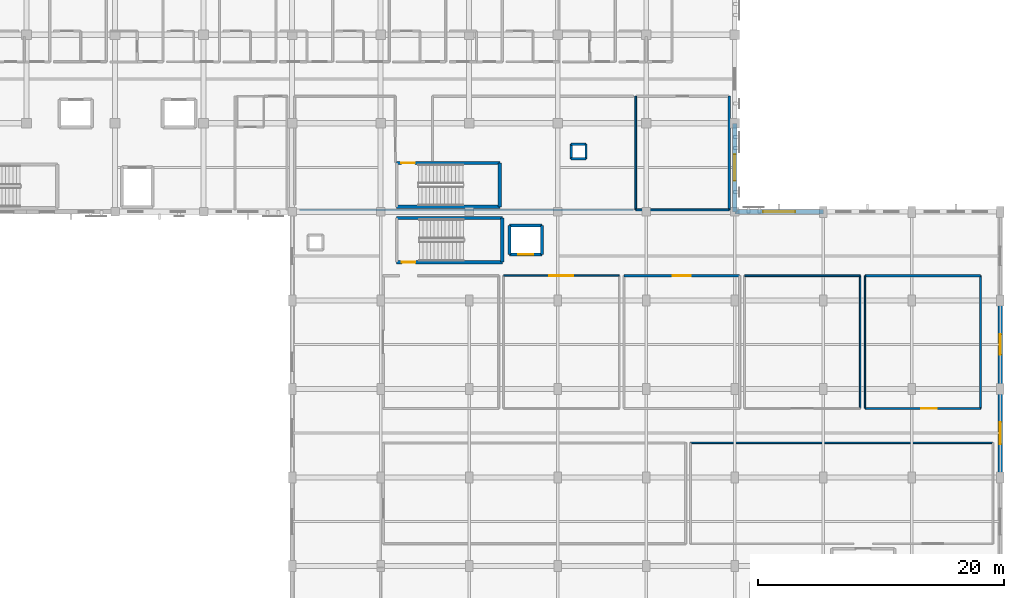
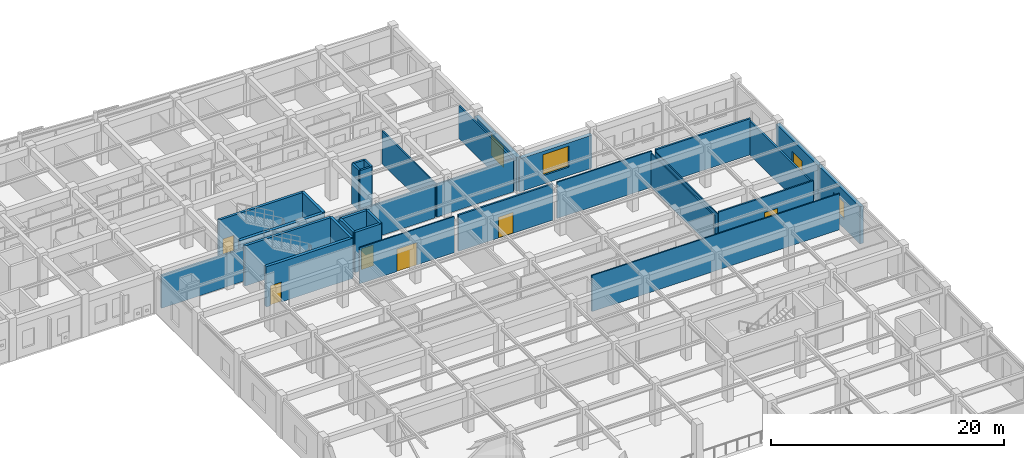
# One storey, part 87 of 106: 31 walls, 6 doors, 4 windows, 10 openings.
"""IFC4 building model written with IfcOpenShell, lengths in metres."""

from ifc_helpers import new_model, si_unit, direction, frame, frame_2d, origin, place, context, subcontext, project, spatial, rectangle, extrude, material, layer, layer_set, type_object, element, fill, save


model = new_model("IFC4")

# Units and contexts
model_context = context("Model", 3, precision=1e-05, world=origin(), true_north=direction((0.0, 1.0)))
body_context = subcontext(model_context, "Body", "Model", "MODEL_VIEW")
ifc_project = project(units=[si_unit("LENGTHUNIT", "METRE"), si_unit("AREAUNIT", "SQUARE_METRE"), si_unit("VOLUMEUNIT", "CUBIC_METRE"), si_unit("PLANEANGLEUNIT", "RADIAN"), si_unit("MASSUNIT", "GRAM", prefix="KILO")], contexts=[model_context])

# Site, building, storey
site_placement = place(None, origin())
site = spatial("IfcSite", under=ifc_project, at=site_placement, CompositionType="ELEMENT")
building_placement = place(site_placement, origin())
building = spatial("IfcBuilding", under=site, at=building_placement, Name="Carrowvane Square Congress Hotel", CompositionType="ELEMENT")
storey_placement = place(building_placement, frame((0.0, 0.0, 10.5)))
storey = spatial("IfcBuildingStorey", under=building, at=storey_placement, Name="L02", CompositionType="ELEMENT", Elevation=10.5)

# Wall, opening, window
ifc_material_1 = material(Name="Glazed terracotta rainscreen", Category="masonry")
ifc_layer_1 = layer(ifc_material_1, 0.360107421875)
ifc_layer_set_1 = layer_set([ifc_layer_1], Name="Glazed terracotta rainscreen")
wall_type_1 = type_object("IfcWallType", Name="WL-EXT-TC360", PredefinedType="STANDARD", material=ifc_layer_set_1)
wall_1_placement = place(storey_placement, frame((184.39990234375, 84.60009765625, 0.0), z_axis=(0.0, 0.0, 1.0), x_axis=(0.0, -1.0, 0.0)))
wall_1 = element("IfcWall", 1, at=wall_1_placement, inside=storey, type_object=wall_type_1, Name="L02 exterior facade wall 289", PredefinedType="STANDARD", context=body_context, shape_type="SweptSolid", body=[
    extrude(rectangle(XDim=7.2001953125, YDim=0.360107421875, at=frame_2d((3.60009765625, 0.0))), origin(), (0.0, 0.0, 1.0), 3.8984375),
])
opening_1_placement = place(wall_1_placement, frame((2.77490234375, 0.0, 0.89990234375)))
opening_1 = element("IfcOpeningElement", 2, at=opening_1_placement, cuts=wall_1, Name="Opening W-04", PredefinedType="OPENING", context=body_context, shape_type="SweptSolid", body=[
    extrude(rectangle(XDim=1.64990234375, YDim=1.800048828125, at=frame_2d((0.824951171875, 0.89990234375))), frame((0.0, 0.18994140625, 0.0), z_axis=(0.0, -1.0, 0.0), x_axis=(1.0, 0.0, 0.0)), (0.0, 0.0, 1.0), 0.380126953125),
])
ifc_material_2 = material(Name="Double-glazed low-E glass", Category="glass")
window_type_1 = type_object("IfcWindowType", Name="WIN-04", PartitioningType="SINGLE_PANEL", PredefinedType="WINDOW", material=ifc_material_2)
window_1_placement = place(opening_1_placement, origin())
window_1 = element("IfcWindow", 3, at=window_1_placement, inside=storey, type_object=window_type_1, Name="L02 facade window 106", OverallHeight=1.800048828125, OverallWidth=1.64990234375, PartitioningType="SINGLE_PANEL", PredefinedType="WINDOW", context=body_context, shape_type="SweptSolid", body=[
    extrude(rectangle(XDim=1.64990234375, YDim=1.800048828125, at=frame_2d((0.824951171875, 0.89990234375))), frame((0.0, 0.030029296875, 0.0), z_axis=(0.0, -1.0, 0.0), x_axis=(1.0, 0.0, 0.0)), (0.0, 0.0, 1.0), 0.06005859375),
])
fill(opening_1, window_1)

wall_2_placement = place(storey_placement, frame((184.39990234375, 77.39990234375, 0.0), z_axis=(0.0, 0.0, 1.0), x_axis=(0.0, -1.0, 0.0)))
wall_2 = element("IfcWall", 4, at=wall_2_placement, inside=storey, type_object=wall_type_1, Name="L02 exterior facade wall 290", PredefinedType="STANDARD", context=body_context, shape_type="SweptSolid", body=[
    extrude(rectangle(XDim=7.199951171875, YDim=0.360107421875, at=frame_2d((3.60009765625, 0.0))), origin(), (0.0, 0.0, 1.0), 3.8984375),
])
opening_2_placement = place(wall_2_placement, frame((2.699951171875, 0.0, 0.89990234375)))
opening_2 = element("IfcOpeningElement", 5, at=opening_2_placement, cuts=wall_2, Name="Opening W-05", PredefinedType="OPENING", context=body_context, shape_type="SweptSolid", body=[
    extrude(rectangle(XDim=1.800048828125, YDim=1.800048828125, at=frame_2d((0.89990234375, 0.89990234375))), frame((0.0, 0.18994140625, 0.0), z_axis=(0.0, -1.0, 0.0), x_axis=(1.0, 0.0, 0.0)), (0.0, 0.0, 1.0), 0.380126953125),
])
ifc_material_3 = material(Name="Double-glazed low-E glass", Category="glass")
window_type_2 = type_object("IfcWindowType", Name="WIN-05", PartitioningType="SINGLE_PANEL", PredefinedType="WINDOW", material=ifc_material_3)
window_2_placement = place(opening_2_placement, origin())
window_2 = element("IfcWindow", 6, at=window_2_placement, inside=storey, type_object=window_type_2, Name="L02 facade window 107", OverallHeight=1.800048828125, OverallWidth=1.800048828125, PartitioningType="SINGLE_PANEL", PredefinedType="WINDOW", context=body_context, shape_type="SweptSolid", body=[
    extrude(rectangle(XDim=1.800048828125, YDim=1.800048828125, at=frame_2d((0.89990234375, 0.89990234375))), frame((0.0, 0.030029296875, 0.0), z_axis=(0.0, -1.0, 0.0), x_axis=(1.0, 0.0, 0.0)), (0.0, 0.0, 1.0), 0.06005859375),
])
fill(opening_2, window_2)

ifc_material_4 = material(Name="Glazed terracotta rainscreen", Category="masonry")
ifc_layer_2 = layer(ifc_material_4, 0.39990234375)
ifc_layer_set_2 = layer_set([ifc_layer_2], Name="Glazed terracotta rainscreen")
wall_type_2 = type_object("IfcWallType", Name="WL-EXT-TC400", PredefinedType="STANDARD", material=ifc_layer_set_2)
wall_3_placement = place(storey_placement, frame((162.800048828125, 99.0, 0.0), z_axis=(0.0, 0.0, 1.0), x_axis=(0.0, -1.0, 0.0)))
wall_3 = element("IfcWall", 7, at=wall_3_placement, inside=storey, type_object=wall_type_2, Name="L02 exterior facade wall 284", PredefinedType="STANDARD", context=body_context, shape_type="SweptSolid", body=[
    extrude(rectangle(XDim=7.199951171875, YDim=0.39990234375, at=frame_2d((3.60009765625, 0.0))), origin(), (0.0, 0.0, 1.0), 3.554931640625),
])
opening_3_placement = place(wall_3_placement, frame((2.52490234375, 0.0, 0.89990234375)))
opening_3 = element("IfcOpeningElement", 8, at=opening_3_placement, cuts=wall_3, Name="Opening W-35", PredefinedType="OPENING", context=body_context, shape_type="SweptSolid", body=[
    extrude(rectangle(XDim=2.14990234375, YDim=2.199951171875, at=frame_2d((1.074951171875, 1.10009765625))), frame((0.0, 0.2099609375, 0.0), z_axis=(0.0, -1.0, 0.0), x_axis=(1.0, 0.0, 0.0)), (0.0, 0.0, 1.0), 0.419921875),
])
ifc_material_5 = material(Name="Double-glazed low-E glass", Category="glass")
window_type_3 = type_object("IfcWindowType", Name="WIN-35", PartitioningType="SINGLE_PANEL", PredefinedType="WINDOW", material=ifc_material_5)
window_3_placement = place(opening_3_placement, origin())
window_3 = element("IfcWindow", 9, at=window_3_placement, inside=storey, type_object=window_type_3, Name="L02 facade window 96", OverallHeight=2.199951171875, OverallWidth=2.14990234375, PartitioningType="SINGLE_PANEL", PredefinedType="WINDOW", context=body_context, shape_type="SweptSolid", body=[
    extrude(rectangle(XDim=2.14990234375, YDim=2.199951171875, at=frame_2d((1.074951171875, 1.10009765625))), frame((0.0, 0.030029296875, 0.0), z_axis=(0.0, -1.0, 0.0), x_axis=(1.0, 0.0, 0.0)), (0.0, 0.0, 1.0), 0.06005859375),
])
fill(opening_3, window_3)

wall_4_placement = place(storey_placement, frame((162.800048828125, 91.800048828125, 0.0), z_axis=(0.0, 0.0, 1.0), x_axis=(1.0, 0.0, 0.0)))
wall_4 = element("IfcWall", 10, at=wall_4_placement, inside=storey, type_object=wall_type_2, Name="L02 exterior facade wall 285", PredefinedType="STANDARD", context=body_context, shape_type="SweptSolid", body=[
    extrude(rectangle(XDim=7.199951171875, YDim=0.39990234375, at=frame_2d((3.60009765625, 0.0))), origin(), (0.0, 0.0, 1.0), 3.455078125),
])
opening_4_placement = place(wall_4_placement, frame((2.300048828125, 0.0, 0.89990234375)))
opening_4 = element("IfcOpeningElement", 11, at=opening_4_placement, cuts=wall_4, Name="Opening W-36", PredefinedType="OPENING", context=body_context, shape_type="SweptSolid", body=[
    extrude(rectangle(XDim=2.60009765625, YDim=2.199951171875, at=frame_2d((1.300048828125, 1.10009765625))), frame((0.0, 0.2099609375, 0.0), z_axis=(0.0, -1.0, 0.0), x_axis=(1.0, 0.0, 0.0)), (0.0, 0.0, 1.0), 0.419921875),
])
ifc_material_6 = material(Name="Double-glazed low-E glass", Category="glass")
window_type_4 = type_object("IfcWindowType", Name="WIN-36", PartitioningType="SINGLE_PANEL", PredefinedType="WINDOW", material=ifc_material_6)
window_4_placement = place(opening_4_placement, origin())
window_4 = element("IfcWindow", 12, at=window_4_placement, inside=storey, type_object=window_type_4, Name="L02 facade window 97", OverallHeight=2.199951171875, OverallWidth=2.60009765625, PartitioningType="SINGLE_PANEL", PredefinedType="WINDOW", context=body_context, shape_type="SweptSolid", body=[
    extrude(rectangle(XDim=2.60009765625, YDim=2.199951171875, at=frame_2d((1.300048828125, 1.10009765625))), frame((0.0, 0.030029296875, 0.0), z_axis=(0.0, -1.0, 0.0), x_axis=(1.0, 0.0, 0.0)), (0.0, 0.0, 1.0), 0.06005859375),
])
fill(opening_4, window_4)

# Wall
ifc_material_7 = material(Name="Acoustic gypsum board", Category="gypsum")
ifc_layer_3 = layer(ifc_material_7, 0.155029296875)
ifc_layer_set_3 = layer_set([ifc_layer_3], Name="Acoustic gypsum board")
wall_type_3 = type_object("IfcWallType", Name="WL-FIR-155", PredefinedType="PARTITIONING", material=ifc_layer_set_3)
wall_5_placement = place(storey_placement, frame((162.35009765625, 91.9599609375, 0.0), z_axis=(0.0, 0.0, 1.0), x_axis=(-1.0, 0.0, 0.0)))
element("IfcWall", 13, at=wall_5_placement, inside=storey, type_object=wall_type_3, Name="L02 L02 Delegate Business Pantry partition", PredefinedType="PARTITIONING", context=body_context, shape_type="SweptSolid", body=[
    extrude(rectangle(XDim=7.60009765625, YDim=0.155029296875, at=frame_2d((3.800048828125, 0.0))), origin(), (0.0, 0.0, 1.0), 3.455078125),
])

# Wall, opening, door
wall_6_placement = place(storey_placement, frame((182.800048828125, 75.800048828125, 0.0), z_axis=(0.0, 0.0, 1.0), x_axis=(-1.0, 0.0, 0.0)))
wall_6 = element("IfcWall", 14, at=wall_6_placement, inside=storey, type_object=wall_type_3, Name="L02 Congress Seminar Room 205 partition", PredefinedType="PARTITIONING", context=body_context, shape_type="SweptSolid", body=[
    extrude(rectangle(XDim=9.400146484375, YDim=0.155029296875, at=frame_2d((4.7001953125, 0.0))), origin(), (0.0, 0.0, 1.0), 3.795654296875),
])
opening_5_placement = place(wall_6_placement, frame((3.550048828125, 0.0, 0.0)))
opening_5 = element("IfcOpeningElement", 15, at=opening_5_placement, cuts=wall_6, Name="Opening FD-03", PredefinedType="OPENING", context=body_context, shape_type="SweptSolid", body=[
    extrude(rectangle(XDim=1.300048828125, YDim=2.14990234375, at=frame_2d((0.64990234375, 1.074951171875))), frame((0.0, 0.08740234375, 0.0), z_axis=(0.0, -1.0, 0.0), x_axis=(1.0, 0.0, 0.0)), (0.0, 0.0, 1.0), 0.175048828125),
])
ifc_material_8 = material(Name="European oak timber", Category="wood")
door_type_1 = type_object("IfcDoorType", Name="DR-FD60-1300x2150", OperationType="NOTDEFINED", PredefinedType="DOOR", material=ifc_material_8)
door_1_placement = place(opening_5_placement, origin())
door_1 = element("IfcDoor", 16, at=door_1_placement, inside=storey, type_object=door_type_1, Name="L02 Congress Seminar Room 205 entrance door", OperationType="SINGLE_SWING_RIGHT", OverallHeight=2.14990234375, OverallWidth=1.300048828125, PredefinedType="DOOR", context=body_context, shape_type="SweptSolid", body=[
    extrude(rectangle(XDim=1.300048828125, YDim=2.14990234375, at=frame_2d((0.64990234375, 1.074951171875))), frame((0.0, 0.02490234375, 0.0), z_axis=(0.0, -1.0, 0.0), x_axis=(1.0, 0.0, 0.0)), (0.0, 0.0, 1.0), 0.050048828125),
])
fill(opening_5, door_1)

# Walls
ifc_material_9 = material(Name="Acoustic gypsum board", Category="gypsum")
ifc_layer_4 = layer(ifc_material_9, 0.169921875)
ifc_layer_set_4 = layer_set([ifc_layer_4], Name="Acoustic gypsum board")
wall_type_4 = type_object("IfcWallType", Name="WL-FIR-170", PredefinedType="PARTITIONING", material=ifc_layer_set_4)
wall_7_placement = place(storey_placement, frame((162.35009765625, 101.199951171875, 0.0), z_axis=(0.0, 0.0, 1.0), x_axis=(0.0, -1.0, 0.0)))
element("IfcWall", 17, at=wall_7_placement, inside=storey, type_object=wall_type_4, Name="L02 L02 Delegate Business Pantry partition", PredefinedType="PARTITIONING", context=body_context, shape_type="SweptSolid", body=[
    extrude(rectangle(XDim=9.239990234375, YDim=0.169921875, at=frame_2d((4.6201171875, 0.0))), origin(), (0.0, 0.0, 1.0), 3.455078125),
])
wall_8_placement = place(storey_placement, frame((154.550048828125, 91.9599609375, 0.0), z_axis=(0.0, 0.0, 1.0), x_axis=(-1.0, 0.0, 0.0)))
element("IfcWall", 18, at=wall_8_placement, inside=storey, type_object=wall_type_4, Name="L02 L02 East Delegate Linen and Service Room partition", PredefinedType="PARTITIONING", context=body_context, shape_type="SweptSolid", body=[
    extrude(rectangle(XDim=27.14013671875, YDim=0.169921875, at=frame_2d((13.570068359375, 0.0))), origin(), (0.0, 0.0, 1.0), 3.455078125),
])

# Wall, opening, door
wall_9_placement = place(storey_placement, frame((153.800048828125, 86.60009765625, 0.0), z_axis=(0.0, 0.0, 1.0), x_axis=(1.0, 0.0, 0.0)))
wall_9 = element("IfcWall", 19, at=wall_9_placement, inside=storey, type_object=wall_type_4, Name="L02 Congress Seminar Room 203 partition", PredefinedType="PARTITIONING", context=body_context, shape_type="SweptSolid", body=[
    extrude(rectangle(XDim=9.39990234375, YDim=0.169921875, at=frame_2d((4.699951171875, 0.0))), origin(), (0.0, 0.0, 1.0), 3.795654296875),
])
opening_6_placement = place(wall_9_placement, frame((3.97509765625, 0.0, 0.0)))
opening_6 = element("IfcOpeningElement", 20, at=opening_6_placement, cuts=wall_9, Name="Opening FD-11", PredefinedType="OPENING", context=body_context, shape_type="SweptSolid", body=[
    extrude(rectangle(XDim=1.449951171875, YDim=2.199951171875, at=frame_2d((0.72509765625, 1.10009765625))), frame((0.0, 0.094970703125, 0.0), z_axis=(0.0, -1.0, 0.0), x_axis=(1.0, 0.0, 0.0)), (0.0, 0.0, 1.0), 0.18994140625),
])
ifc_material_10 = material(Name="European oak timber", Category="wood")
door_type_2 = type_object("IfcDoorType", Name="DR-FD30-1450x2200", OperationType="DOUBLE_DOOR_SINGLE_SWING", PredefinedType="DOOR", material=ifc_material_10)
door_2_placement = place(opening_6_placement, origin())
door_2 = element("IfcDoor", 21, at=door_2_placement, inside=storey, type_object=door_type_2, Name="L02 Congress Seminar Room 203 entrance door", OperationType="DOUBLE_DOOR_SINGLE_SWING", OverallHeight=2.199951171875, OverallWidth=1.449951171875, PredefinedType="DOOR", context=body_context, shape_type="SweptSolid", body=[
    extrude(rectangle(XDim=1.449951171875, YDim=2.199951171875, at=frame_2d((0.72509765625, 1.10009765625))), frame((0.0, 0.02490234375, 0.0), z_axis=(0.0, -1.0, 0.0), x_axis=(1.0, 0.0, 0.0)), (0.0, 0.0, 1.0), 0.050048828125),
])
fill(opening_6, door_2)

# Walls
wall_10_placement = place(storey_placement, frame((182.800048828125, 86.60009765625, 0.0), z_axis=(0.0, 0.0, 1.0), x_axis=(0.0, -1.0, 0.0)))
element("IfcWall", 22, at=wall_10_placement, inside=storey, type_object=wall_type_4, Name="L02 Congress Seminar Room 205 partition", PredefinedType="PARTITIONING", context=body_context, shape_type="SweptSolid", body=[
    extrude(rectangle(XDim=10.800048828125, YDim=0.169921875, at=frame_2d((5.39990234375, 0.0))), origin(), (0.0, 0.0, 1.0), 3.554931640625),
])
ifc_material_11 = material(Name="Acoustic gypsum board", Category="gypsum")
ifc_layer_5 = layer(ifc_material_11, 0.18505859375)
ifc_layer_set_5 = layer_set([ifc_layer_5], Name="Acoustic gypsum board")
wall_type_5 = type_object("IfcWallType", Name="WL-FIR-185", PredefinedType="PARTITIONING", material=ifc_layer_set_5)
wall_11_placement = place(storey_placement, frame((173.39990234375, 86.60009765625, 0.0), z_axis=(0.0, 0.0, 1.0), x_axis=(1.0, 0.0, 0.0)))
element("IfcWall", 23, at=wall_11_placement, inside=storey, type_object=wall_type_5, Name="L02 Congress Seminar Room 205 partition", PredefinedType="PARTITIONING", context=body_context, shape_type="SweptSolid", body=[
    extrude(rectangle(XDim=9.400146484375, YDim=0.18505859375, at=frame_2d((4.7001953125, 0.0))), origin(), (0.0, 0.0, 1.0), 3.795654296875),
])
ifc_material_12 = material(Name="Standing-seam zinc cladding", Category="metal")
ifc_layer_6 = layer(ifc_material_12, 0.195068359375)
ifc_layer_set_6 = layer_set([ifc_layer_6], Name="Standing-seam zinc cladding")
wall_type_6 = type_object("IfcWallType", Name="WL-PAR-195", PredefinedType="PARAPET", material=ifc_layer_set_6)
for number, where, z_axis, x_axis, name in (
    (24, (149.5, 96.10009765625, 0.0), (0.0, 0.0, 1.0), (1.0, 0.0, 0.0), "L02 service riser RSR-V5E enclosure S"),
    (25, (150.699951171875, 96.10009765625, 0.0), (0.0, 0.0, 1.0), (0.0, 1.0, 0.0), "L02 service riser RSR-V5E enclosure E"),
    (26, (150.699951171875, 97.300048828125, 0.0), (0.0, 0.0, 1.0), (-1.0, 0.0, 0.0), "L02 service riser RSR-V5E enclosure N"),
    (27, (149.5, 97.300048828125, 0.0), (0.0, 0.0, 1.0), (0.0, -1.0, 0.0), "L02 service riser RSR-V5E enclosure W"),
):
    element("IfcWall", number, at=place(storey_placement, frame(where, z_axis=z_axis, x_axis=x_axis)), inside=storey, type_object=wall_type_6, Name=name, PredefinedType="PARAPET", context=body_context, shape_type="SweptSolid", body=[
        extrude(rectangle(XDim=1.199951171875, YDim=0.195068359375, at=frame_2d((0.60009765625, 0.0))), origin(), (0.0, 0.0, 1.0), 4.219970703125),
    ])
ifc_material_13 = material(Name="Acoustic gypsum board", Category="gypsum")
ifc_layer_7 = layer(ifc_material_13, 0.097900390625)
ifc_layer_set_7 = layer_set([ifc_layer_7], Name="Acoustic gypsum board")
wall_type_7 = type_object("IfcWallType", Name="WL-PRT-098", PredefinedType="PARTITIONING", material=ifc_layer_set_7)
wall_12_placement = place(storey_placement, frame((173.39990234375, 75.800048828125, 0.0), z_axis=(0.0, 0.0, 1.0), x_axis=(0.0, 1.0, 0.0)))
element("IfcWall", 28, at=wall_12_placement, inside=storey, type_object=wall_type_7, Name="L02 Congress Seminar Room 205 partition", PredefinedType="PARTITIONING", context=body_context, shape_type="SweptSolid", body=[
    extrude(rectangle(XDim=10.800048828125, YDim=0.097900390625, at=frame_2d((5.39990234375, 0.0))), origin(), (0.0, 0.0, 1.0), 3.554931640625),
])

# Wall, opening, door
ifc_material_14 = material(Name="Acoustic gypsum board", Category="gypsum")
ifc_layer_8 = layer(ifc_material_14, 0.117919921875)
ifc_layer_set_8 = layer_set([ifc_layer_8], Name="Acoustic gypsum board")
wall_type_8 = type_object("IfcWallType", Name="WL-PRT-118", PredefinedType="PARTITIONING", material=ifc_layer_set_8)
wall_13_placement = place(storey_placement, frame((144.0, 86.60009765625, 0.0), z_axis=(0.0, 0.0, 1.0), x_axis=(1.0, 0.0, 0.0)))
wall_13 = element("IfcWall", 29, at=wall_13_placement, inside=storey, type_object=wall_type_8, Name="L02 Congress Seminar Room 202 partition", PredefinedType="PARTITIONING", context=body_context, shape_type="SweptSolid", body=[
    extrude(rectangle(XDim=9.39990234375, YDim=0.117919921875, at=frame_2d((4.699951171875, 0.0))), origin(), (0.0, 0.0, 1.0), 3.795654296875),
])
opening_7_placement = place(wall_13_placement, frame((3.72509765625, 0.0, 0.0)))
opening_7 = element("IfcOpeningElement", 30, at=opening_7_placement, cuts=wall_13, Name="Opening ID-14", PredefinedType="OPENING", context=body_context, shape_type="SweptSolid", body=[
    extrude(rectangle(XDim=1.949951171875, YDim=2.35009765625, at=frame_2d((0.97509765625, 1.175048828125))), frame((0.0, 0.06884765625, 0.0), z_axis=(0.0, -1.0, 0.0), x_axis=(1.0, 0.0, 0.0)), (0.0, 0.0, 1.0), 0.137939453125),
])
ifc_material_15 = material(Name="European oak timber", Category="wood")
door_type_3 = type_object("IfcDoorType", Name="DR-INT-1950x2350", OperationType="DOUBLE_DOOR_SINGLE_SWING", PredefinedType="DOOR", material=ifc_material_15)
door_3_placement = place(opening_7_placement, origin())
door_3 = element("IfcDoor", 31, at=door_3_placement, inside=storey, type_object=door_type_3, Name="L02 Congress Seminar Room 202 entrance door", OperationType="DOUBLE_DOOR_SINGLE_SWING", OverallHeight=2.35009765625, OverallWidth=1.949951171875, PredefinedType="DOOR", context=body_context, shape_type="SweptSolid", body=[
    extrude(rectangle(XDim=1.949951171875, YDim=2.35009765625, at=frame_2d((0.97509765625, 1.175048828125))), frame((0.0, 0.02490234375, 0.0), z_axis=(0.0, -1.0, 0.0), x_axis=(1.0, 0.0, 0.0)), (0.0, 0.0, 1.0), 0.050048828125),
])
fill(opening_7, door_3)

# Walls
wall_14_placement = place(storey_placement, frame((173.0, 86.60009765625, 0.0), z_axis=(0.0, 0.0, 1.0), x_axis=(0.0, -1.0, 0.0)))
element("IfcWall", 32, at=wall_14_placement, inside=storey, type_object=wall_type_8, Name="L02 Congress Seminar Room 204 partition", PredefinedType="PARTITIONING", context=body_context, shape_type="SweptSolid", body=[
    extrude(rectangle(XDim=10.800048828125, YDim=0.117919921875, at=frame_2d((5.39990234375, 0.0))), origin(), (0.0, 0.0, 1.0), 3.554931640625),
])
ifc_material_16 = material(Name="Acoustic gypsum board", Category="gypsum")
ifc_layer_9 = layer(ifc_material_16, 0.1279296875)
ifc_layer_set_9 = layer_set([ifc_layer_9], Name="Acoustic gypsum board")
wall_type_9 = type_object("IfcWallType", Name="WL-PRT-128", PredefinedType="PARTITIONING", material=ifc_layer_set_9)
wall_15_placement = place(storey_placement, frame((159.199951171875, 73.0, 0.0), z_axis=(0.0, 0.0, 1.0), x_axis=(1.0, 0.0, 0.0)))
element("IfcWall", 33, at=wall_15_placement, inside=storey, type_object=wall_type_9, Name="L02 Sub-Plenary Lecture Hall B partition", PredefinedType="PARTITIONING", context=body_context, shape_type="SweptSolid", body=[
    extrude(rectangle(XDim=24.60009765625, YDim=0.1279296875, at=frame_2d((12.300048828125, 0.0))), origin(), (0.0, 0.0, 1.0), 3.795654296875),
])
wall_16_placement = place(storey_placement, frame((163.60009765625, 86.60009765625, 0.0), z_axis=(0.0, 0.0, 1.0), x_axis=(1.0, 0.0, 0.0)))
element("IfcWall", 34, at=wall_16_placement, inside=storey, type_object=wall_type_9, Name="L02 Congress Seminar Room 204 partition", PredefinedType="PARTITIONING", context=body_context, shape_type="SweptSolid", body=[
    extrude(rectangle(XDim=9.39990234375, YDim=0.1279296875, at=frame_2d((4.699951171875, 0.0))), origin(), (0.0, 0.0, 1.0), 3.795654296875),
])
ifc_material_17 = material(Name="Acoustic gypsum board", Category="gypsum")
ifc_layer_10 = layer(ifc_material_17, 0.137939453125)
ifc_layer_set_10 = layer_set([ifc_layer_10], Name="Acoustic gypsum board")
wall_type_10 = type_object("IfcWallType", Name="WL-PRT-138", PredefinedType="PARTITIONING", material=ifc_layer_set_10)
wall_17_placement = place(storey_placement, frame((154.75, 91.9599609375, 0.0), z_axis=(0.0, 0.0, 1.0), x_axis=(0.0, 1.0, 0.0)))
element("IfcWall", 35, at=wall_17_placement, inside=storey, type_object=wall_type_10, Name="L02 L02 Delegate Business Pantry partition", PredefinedType="PARTITIONING", context=body_context, shape_type="SweptSolid", body=[
    extrude(rectangle(XDim=9.239990234375, YDim=0.137939453125, at=frame_2d((4.6201171875, 0.0))), origin(), (0.0, 0.0, 1.0), 3.455078125),
])
ifc_material_18 = material(Name="Concrete C40/50", Category="concrete")
ifc_layer_11 = layer(ifc_material_18, 0.25)
ifc_layer_set_11 = layer_set([ifc_layer_11], Name="Concrete C40/50")
wall_type_11 = type_object("IfcWallType", Name="WL-SHR-250", PredefinedType="SHEAR", material=ifc_layer_set_11)
wall_18_placement = place(storey_placement, frame((143.89990234375, 91.300048828125, 0.0), z_axis=(0.0, 0.0, 1.0), x_axis=(-1.0, 0.0, 0.0)))
element("IfcWall", 36, at=wall_18_placement, inside=storey, type_object=wall_type_11, Name="L02 ST8 core wall north", PredefinedType="SHEAR", context=body_context, shape_type="SweptSolid", body=[
    extrude(rectangle(XDim=8.599853515625, YDim=0.25, at=frame_2d((4.2998046875, 0.0))), origin(), (0.0, 0.0, 1.0), 4.219970703125),
])

# Wall, opening, door
wall_19_placement = place(storey_placement, frame((143.699951171875, 95.760009765625, 0.0), z_axis=(0.0, 0.0, 1.0), x_axis=(-1.0, 0.0, 0.0)))
wall_19 = element("IfcWall", 37, at=wall_19_placement, inside=storey, type_object=wall_type_11, Name="L02 ST12 core wall north", PredefinedType="SHEAR", context=body_context, shape_type="SweptSolid", body=[
    extrude(rectangle(XDim=8.39990234375, YDim=0.25, at=frame_2d((4.199951171875, 0.0))), origin(), (0.0, 0.0, 1.0), 4.219970703125),
])
opening_8_placement = place(wall_19_placement, frame((6.909912109375, 0.0, 0.0)))
opening_8 = element("IfcOpeningElement", 38, at=opening_8_placement, cuts=wall_19, Name="Opening FD-01", PredefinedType="OPENING", context=body_context, shape_type="SweptSolid", body=[
    extrude(rectangle(XDim=1.10009765625, YDim=2.10009765625, at=frame_2d((0.550048828125, 1.050048828125))), frame((0.0, 0.135009765625, 0.0), z_axis=(0.0, -1.0, 0.0), x_axis=(1.0, 0.0, 0.0)), (0.0, 0.0, 1.0), 0.27001953125),
])
ifc_material_19 = material(Name="European oak timber", Category="wood")
door_type_4 = type_object("IfcDoorType", Name="DR-FD60-1100x2100", OperationType="NOTDEFINED", PredefinedType="DOOR", material=ifc_material_19)
door_4_placement = place(opening_8_placement, origin())
door_4 = element("IfcDoor", 39, at=door_4_placement, inside=storey, type_object=door_type_4, Name="L02 ST12 fire door", OperationType="SINGLE_SWING_LEFT", OverallHeight=2.10009765625, OverallWidth=1.10009765625, PredefinedType="DOOR", context=body_context, shape_type="SweptSolid", body=[
    extrude(rectangle(XDim=1.10009765625, YDim=2.10009765625, at=frame_2d((0.550048828125, 1.050048828125))), frame((0.0, 0.02490234375, 0.0), z_axis=(0.0, -1.0, 0.0), x_axis=(1.0, 0.0, 0.0)), (0.0, 0.0, 1.0), 0.050048828125),
])
fill(opening_8, door_4)

wall_20_placement = place(storey_placement, frame((144.47509765625, 88.324951171875, 0.0), z_axis=(0.0, 0.0, 1.0), x_axis=(1.0, 0.0, 0.0)))
wall_20 = element("IfcWall", 40, at=wall_20_placement, inside=storey, type_object=wall_type_11, Name="L02 CL-3 shaft wall south", PredefinedType="SHEAR", context=body_context, shape_type="SweptSolid", body=[
    extrude(rectangle(XDim=2.64990234375, YDim=0.25, at=frame_2d((1.324951171875, 0.0))), origin(), (0.0, 0.0, 1.0), 4.219970703125),
])
opening_9_placement = place(wall_20_placement, frame((0.72509765625, 0.0, 0.0)))
opening_9 = element("IfcOpeningElement", 41, at=opening_9_placement, cuts=wall_20, Name="Opening LD-CL-3", PredefinedType="OPENING", context=body_context, shape_type="SweptSolid", body=[
    extrude(rectangle(XDim=1.199951171875, YDim=2.199951171875, at=frame_2d((0.60009765625, 1.10009765625))), frame((0.0, 0.135009765625, 0.0), z_axis=(0.0, -1.0, 0.0), x_axis=(1.0, 0.0, 0.0)), (0.0, 0.0, 1.0), 0.27001953125),
])
ifc_material_20 = material(Name="Stainless steel 316", Category="steel")
door_type_5 = type_object("IfcDoorType", Name="DR-LD-1200x2200", OperationType="DOUBLE_DOOR_SLIDING", PredefinedType="DOOR", material=ifc_material_20)
door_5_placement = place(opening_9_placement, origin())
door_5 = element("IfcDoor", 42, at=door_5_placement, inside=storey, type_object=door_type_5, Name="L02 CL-3 sliding lift landing door", OperationType="DOUBLE_DOOR_SLIDING", OverallHeight=2.199951171875, OverallWidth=1.199951171875, PredefinedType="DOOR", context=body_context, shape_type="SweptSolid", body=[
    extrude(rectangle(XDim=1.199951171875, YDim=2.199951171875, at=frame_2d((0.60009765625, 1.10009765625))), frame((0.0, 0.02490234375, 0.0), z_axis=(0.0, -1.0, 0.0), x_axis=(1.0, 0.0, 0.0)), (0.0, 0.0, 1.0), 0.050048828125),
])
fill(opening_9, door_5)

# Walls
wall_21_placement = place(storey_placement, frame((147.125, 88.324951171875, 0.0), z_axis=(0.0, 0.0, 1.0), x_axis=(0.0, 1.0, 0.0)))
element("IfcWall", 43, at=wall_21_placement, inside=storey, type_object=wall_type_11, Name="L02 CL-3 shaft wall east", PredefinedType="SHEAR", context=body_context, shape_type="SweptSolid", body=[
    extrude(rectangle(XDim=2.35009765625, YDim=0.25, at=frame_2d((1.175048828125, 0.0))), origin(), (0.0, 0.0, 1.0), 4.219970703125),
])
wall_22_placement = place(storey_placement, frame((147.125, 90.675048828125, 0.0), z_axis=(0.0, 0.0, 1.0), x_axis=(-1.0, 0.0, 0.0)))
element("IfcWall", 44, at=wall_22_placement, inside=storey, type_object=wall_type_11, Name="L02 CL-3 shaft wall north", PredefinedType="SHEAR", context=body_context, shape_type="SweptSolid", body=[
    extrude(rectangle(XDim=2.64990234375, YDim=0.25, at=frame_2d((1.324951171875, 0.0))), origin(), (0.0, 0.0, 1.0), 4.219970703125),
])
wall_23_placement = place(storey_placement, frame((144.47509765625, 90.675048828125, 0.0), z_axis=(0.0, 0.0, 1.0), x_axis=(0.0, -1.0, 0.0)))
element("IfcWall", 45, at=wall_23_placement, inside=storey, type_object=wall_type_11, Name="L02 CL-3 shaft wall west", PredefinedType="SHEAR", context=body_context, shape_type="SweptSolid", body=[
    extrude(rectangle(XDim=2.35009765625, YDim=0.25, at=frame_2d((1.175048828125, 0.0))), origin(), (0.0, 0.0, 1.0), 4.219970703125),
])
ifc_material_21 = material(Name="Concrete C40/50", Category="concrete")
ifc_layer_12 = layer(ifc_material_21, 0.27490234375)
ifc_layer_set_12 = layer_set([ifc_layer_12], Name="Concrete C40/50")
wall_type_12 = type_object("IfcWallType", Name="WL-SHR-275", PredefinedType="SHEAR", material=ifc_layer_set_12)
wall_24_placement = place(storey_placement, frame((143.89990234375, 87.699951171875, 0.0), z_axis=(0.0, 0.0, 1.0), x_axis=(0.0, 1.0, 0.0)))
element("IfcWall", 46, at=wall_24_placement, inside=storey, type_object=wall_type_12, Name="L02 ST8 core wall east", PredefinedType="SHEAR", context=body_context, shape_type="SweptSolid", body=[
    extrude(rectangle(XDim=3.60009765625, YDim=0.27490234375, at=frame_2d((1.800048828125, 0.0))), origin(), (0.0, 0.0, 1.0), 4.219970703125),
])
wall_25_placement = place(storey_placement, frame((143.699951171875, 92.199951171875, 0.0), z_axis=(0.0, 0.0, 1.0), x_axis=(0.0, 1.0, 0.0)))
element("IfcWall", 47, at=wall_25_placement, inside=storey, type_object=wall_type_12, Name="L02 ST12 core wall east", PredefinedType="SHEAR", context=body_context, shape_type="SweptSolid", body=[
    extrude(rectangle(XDim=3.56005859375, YDim=0.27490234375, at=frame_2d((1.780029296875, 0.0))), origin(), (0.0, 0.0, 1.0), 4.219970703125),
])

# Wall, opening, door
ifc_material_22 = material(Name="Concrete C40/50", Category="concrete")
ifc_layer_13 = layer(ifc_material_22, 0.300048828125)
ifc_layer_set_13 = layer_set([ifc_layer_13], Name="Concrete C40/50")
wall_type_13 = type_object("IfcWallType", Name="WL-SHR-300", PredefinedType="SHEAR", material=ifc_layer_set_13)
wall_26_placement = place(storey_placement, frame((135.300048828125, 87.699951171875, 0.0), z_axis=(0.0, 0.0, 1.0), x_axis=(1.0, 0.0, 0.0)))
wall_26 = element("IfcWall", 48, at=wall_26_placement, inside=storey, type_object=wall_type_13, Name="L02 ST8 core wall south", PredefinedType="SHEAR", context=body_context, shape_type="SweptSolid", body=[
    extrude(rectangle(XDim=8.599853515625, YDim=0.300048828125, at=frame_2d((4.2998046875, 0.0))), origin(), (0.0, 0.0, 1.0), 4.219970703125),
])
opening_10_placement = place(wall_26_placement, frame((0.425048828125, 0.0, 0.0)))
opening_10 = element("IfcOpeningElement", 49, at=opening_10_placement, cuts=wall_26, Name="Opening FD-01", PredefinedType="OPENING", context=body_context, shape_type="SweptSolid", body=[
    extrude(rectangle(XDim=1.10009765625, YDim=2.10009765625, at=frame_2d((0.550048828125, 1.050048828125))), frame((0.0, 0.159912109375, 0.0), z_axis=(0.0, -1.0, 0.0), x_axis=(1.0, 0.0, 0.0)), (0.0, 0.0, 1.0), 0.320068359375),
])
door_6_placement = place(opening_10_placement, origin())
door_6 = element("IfcDoor", 50, at=door_6_placement, inside=storey, type_object=door_type_4, Name="L02 ST8 fire door", OperationType="SINGLE_SWING_LEFT", OverallHeight=2.10009765625, OverallWidth=1.10009765625, PredefinedType="DOOR", context=body_context, shape_type="SweptSolid", body=[
    extrude(rectangle(XDim=1.10009765625, YDim=2.10009765625, at=frame_2d((0.550048828125, 1.050048828125))), frame((0.0, 0.02490234375, 0.0), z_axis=(0.0, -1.0, 0.0), x_axis=(1.0, 0.0, 0.0)), (0.0, 0.0, 1.0), 0.050048828125),
])
fill(opening_10, door_6)

# Wall
wall_27_placement = place(storey_placement, frame((135.300048828125, 92.199951171875, 0.0), z_axis=(0.0, 0.0, 1.0), x_axis=(1.0, 0.0, 0.0)))
element("IfcWall", 51, at=wall_27_placement, inside=storey, type_object=wall_type_13, Name="L02 ST12 core wall south", PredefinedType="SHEAR", context=body_context, shape_type="SweptSolid", body=[
    extrude(rectangle(XDim=8.39990234375, YDim=0.300048828125, at=frame_2d((4.199951171875, 0.0))), origin(), (0.0, 0.0, 1.0), 4.219970703125),
])

save(model, "model.ifc")
